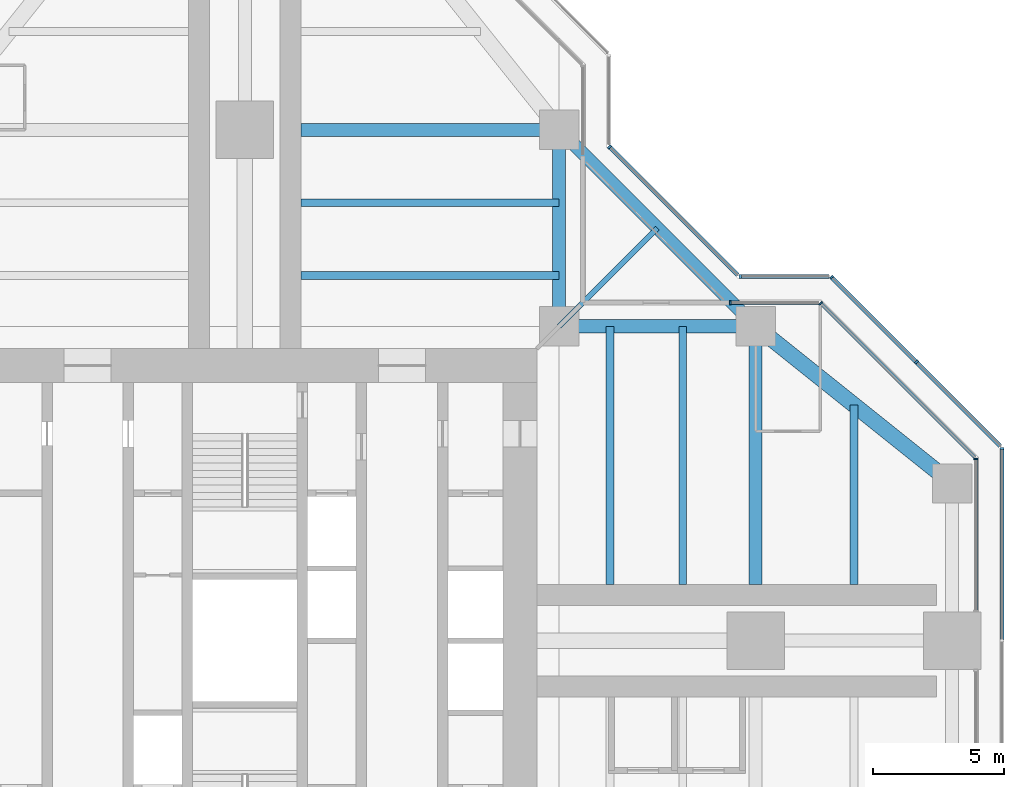
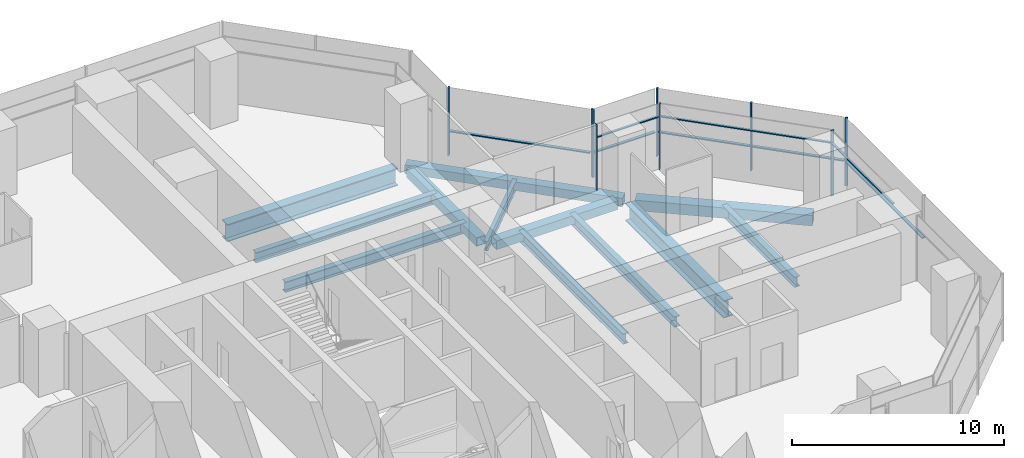
# One storey, part 8 of 17: 16 members, 12 beams, 7 elements without a shape of their own.
"""IFC4 building model written with IfcOpenShell, lengths in metres."""

from ifc_helpers import new_model, si_unit, direction, frame, origin, origin_2d, place, context, subcontext, project, spatial, rectangle, hollow_rectangle, i_section, extrude, material, material_profile, profile_set, type_object, element, aggregate, save


model = new_model("IFC4")

# Units and contexts
model_context = context("Model", 3, precision=1e-05, world=origin(), true_north=direction((0.0, 1.0)))
body_context = subcontext(model_context, "Body", "Model", "MODEL_VIEW")
ifc_project = project(units=[si_unit("LENGTHUNIT", "METRE"), si_unit("AREAUNIT", "SQUARE_METRE"), si_unit("VOLUMEUNIT", "CUBIC_METRE"), si_unit("PLANEANGLEUNIT", "RADIAN"), si_unit("MASSUNIT", "GRAM", prefix="KILO")], contexts=[model_context])

# Site, building, storey
site_placement = place(None, origin())
site = spatial("IfcSite", under=ifc_project, at=site_placement, CompositionType="ELEMENT")
building_placement = place(site_placement, origin())
building = spatial("IfcBuilding", under=site, at=building_placement, Name="Mizan Broadcast Tower", CompositionType="ELEMENT")
storey_placement = place(building_placement, frame((0.0, 0.0, 243.89990234375)))
storey = spatial("IfcBuildingStorey", under=building, at=storey_placement, Name="L57", CompositionType="ELEMENT", Elevation=243.89990234375)

# Beams
ifc_material_1 = material(Name="Steel S355", Category="steel")
ifc_material_profile_1 = material_profile(ifc_material_1, hollow_rectangle(XDim=0.5, YDim=0.5, WallThickness=0.030029296875, at=origin_2d()), Name="BOX 500x500x30")
ifc_profile_set_1 = profile_set([ifc_material_profile_1], Name="Steel S355")
beam_type_1 = type_object("IfcBeamType", Name="EDGE BEAM BOX 500x500x30", PredefinedType="SPANDREL", material=ifc_profile_set_1)
for number, where, z_axis, x_axis, name in (
    (1, (12.449951171875, 12.0, -0.3798828125), (1.0, 0.0, 0.0), (0.0, 1.0, 0.0), "Edge beam BOX 500x500x30 L57 east arm"),
    (2, (12.0, 12.449951171875, -0.3798828125), (0.0, 1.0, 0.0), (-1.0, 0.0, 0.0), "Edge beam BOX 500x500x30 L57 north arm"),
):
    element("IfcBeam", number, at=place(storey_placement, frame(where, z_axis=z_axis, x_axis=x_axis)), inside=storey, type_object=beam_type_1, Name=name, PredefinedType="SPANDREL", context=body_context, shape_type="SweptSolid", body=[
        extrude(hollow_rectangle(XDim=0.5, YDim=0.5, WallThickness=0.030029296875, at=origin_2d()), origin(), (0.0, 0.0, 1.0), 6.60009765625),
    ])
beam_1_placement = place(storey_placement, frame((19.5, 12.0, -0.3798828125), z_axis=(-0.707106781187, 0.707106781187, 0.0), x_axis=(-0.707106781187, -0.707106781187, 0.0)))
element("IfcBeam", 3, at=beam_1_placement, inside=storey, type_object=beam_type_1, Name="Winter garden edge beam L57 E", PredefinedType="SPANDREL", context=body_context, shape_type="SweptSolid", body=[
    extrude(hollow_rectangle(XDim=0.5, YDim=0.5, WallThickness=0.030029296875, at=origin_2d()), origin(), (0.0, 0.0, 1.0), 10.606689453125),
])
ifc_material_2 = material(Name="Steel S355", Category="steel")
ifc_material_profile_2 = material_profile(ifc_material_2, hollow_rectangle(XDim=0.60009765625, YDim=0.60009765625, WallThickness=0.030029296875, at=origin_2d()), Name="BOX 600x600x30")
ifc_profile_set_2 = profile_set([ifc_material_profile_2], Name="Steel S355")
beam_type_2 = type_object("IfcBeamType", Name="EDGE BEAM BOX 600x600x30", PredefinedType="SPANDREL", material=ifc_profile_set_2)
beam_2_placement = place(storey_placement, frame((19.949951171875, 11.639892578125, -0.429931640625), z_axis=(0.780885717636, -0.624673911726, 0.0), x_axis=(0.624673911726, 0.780885717636, 0.0)))
element("IfcBeam", 4, at=beam_2_placement, inside=storey, type_object=beam_type_2, Name="Edge beam BOX 600x600x30 L57 east arm", PredefinedType="SPANDREL", context=body_context, shape_type="SweptSolid", body=[
    extrude(hollow_rectangle(XDim=0.60009765625, YDim=0.60009765625, WallThickness=0.030029296875, at=origin_2d()), origin(), (0.0, 0.0, 1.0), 8.4521484375),
])
ifc_material_3 = material(Name="Steel S460", Category="steel")
ifc_material_profile_3 = material_profile(ifc_material_3, i_section(OverallWidth=0.5, OverallDepth=1.0, WebThickness=0.02490234375, FlangeThickness=0.050048828125, at=origin_2d()), Name="WPG 1000x500")
ifc_profile_set_3 = profile_set([ifc_material_profile_3], Name="Steel S460")
beam_type_3 = type_object("IfcBeamType", Name="GIRDER WPG 1000x500", PredefinedType="BEAM", material=ifc_profile_set_3)
for number, where, z_axis, x_axis, name in (
    (5, (19.5, 11.408935546875, -0.6298828125), (0.0, -1.0, 0.0), (1.0, 0.0, 0.0), "Girder WPG 1000x500 L57 east arm"),
    (6, (11.408935546875, 19.5, -0.6298828125), (-1.0, 0.0, 0.0), (0.0, -1.0, 0.0), "Girder WPG 1000x500 L57 north arm"),
):
    element("IfcBeam", number, at=place(storey_placement, frame(where, z_axis=z_axis, x_axis=x_axis)), inside=storey, type_object=beam_type_3, Name=name, PredefinedType="BEAM", context=body_context, shape_type="SweptSolid", body=[
        extrude(i_section(OverallWidth=0.5, OverallDepth=1.0, WebThickness=0.02490234375, FlangeThickness=0.050048828125, at=origin_2d()), origin(), (0.0, 0.0, 1.0), 9.259033203125),
    ])

# Curtain wall, member
ifc_material_4 = material(Name="Aluminium framed glazing", Category="aluminium")
curtain_wall_type_1 = type_object("IfcCurtainWallType", Name="INNER SKIN HIGH ZONE", PredefinedType="USERDEFINED", material=ifc_material_4)
curtain_wall_1_placement = place(storey_placement, origin())
curtain_wall_1 = element("IfcCurtainWall", 7, at=curtain_wall_1_placement, inside=storey, type_object=curtain_wall_type_1, Name="Inner skin high zone L57 E end", ObjectType="INNER SKIN HIGH ZONE", PredefinedType="USERDEFINED")
ifc_material_5 = material(Name="Aluminium, pale anodised", Category="aluminium")
ifc_material_profile_4 = material_profile(ifc_material_5, rectangle(XDim=0.159912109375, YDim=0.06005859375, at=origin_2d()), Name="MULLION 160x60")
ifc_profile_set_4 = profile_set([ifc_material_profile_4], Name="Aluminium, pale anodised")
member_type_1 = type_object("IfcMemberType", Name="INNER SKIN MULLION 60x160", PredefinedType="MULLION", material=ifc_profile_set_4)
member_1_placement = place(storey_placement, frame((27.89990234375, 6.928466796875, 0.0), z_axis=(0.0, 0.0, 1.0), x_axis=(-1.0, 0.0, 0.0)))
member_1 = element("IfcMember", 8, at=member_1_placement, type_object=member_type_1, Name="Inner skin high zone L57 E end mullion 2", PredefinedType="MULLION", context=body_context, shape_type="SweptSolid", body=[
    extrude(rectangle(XDim=0.159912109375, YDim=0.06005859375, at=origin_2d()), origin(), (0.0, 0.0, 1.0), 3.77001953125),
])

curtain_wall_2_placement = place(storey_placement, origin())
curtain_wall_2 = element("IfcCurtainWall", 9, at=curtain_wall_2_placement, inside=storey, type_object=curtain_wall_type_1, Name="Inner skin high zone L57 E chamfer", ObjectType="INNER SKIN HIGH ZONE", PredefinedType="USERDEFINED")
member_2_placement = place(storey_placement, frame((21.979736328125, 12.87890625, 0.0), z_axis=(0.0, 0.0, 1.0), x_axis=(-0.707106781187, -0.707106781187, 0.0)))
member_2 = element("IfcMember", 10, at=member_2_placement, type_object=member_type_1, Name="Inner skin high zone L57 E chamfer mullion 2", PredefinedType="MULLION", context=body_context, shape_type="SweptSolid", body=[
    extrude(rectangle(XDim=0.159912109375, YDim=0.06005859375, at=origin_2d()), origin(), (0.0, 0.0, 1.0), 3.77001953125),
])

curtain_wall_3_placement = place(storey_placement, origin())
curtain_wall_3 = element("IfcCurtainWall", 11, at=curtain_wall_3_placement, inside=storey, type_object=curtain_wall_type_1, Name="Inner skin high zone L57 E side", ObjectType="INNER SKIN HIGH ZONE", PredefinedType="USERDEFINED")
member_3_placement = place(storey_placement, frame((18.530029296875, 12.89990234375, 0.0), z_axis=(0.0, 0.0, 1.0), x_axis=(0.0, -1.0, 0.0)))
member_3 = element("IfcMember", 12, at=member_3_placement, type_object=member_type_1, Name="Inner skin high zone L57 E side mullion 2", PredefinedType="MULLION", context=body_context, shape_type="SweptSolid", body=[
    extrude(rectangle(XDim=0.159912109375, YDim=0.06005859375, at=origin_2d()), origin(), (0.0, 0.0, 1.0), 3.77001953125),
])

# Member
ifc_material_6 = material(Name="Aluminium, pale anodised", Category="aluminium")
ifc_material_profile_5 = material_profile(ifc_material_6, rectangle(XDim=0.1201171875, YDim=0.06005859375, at=origin_2d()), Name="TRANSOM 120x60")
ifc_profile_set_5 = profile_set([ifc_material_profile_5], Name="Aluminium, pale anodised")
member_type_2 = type_object("IfcMemberType", Name="INNER SKIN TRANSOM 60x120", PredefinedType="USERDEFINED", material=ifc_profile_set_5)
member_4_placement = place(storey_placement, frame((27.89990234375, 1.159912109375, 3.030029296875), z_axis=(0.0, 1.0, 0.0), x_axis=(-1.0, 0.0, 0.0)))
member_4 = element("IfcMember", 13, at=member_4_placement, type_object=member_type_2, Name="Inner skin high zone L57 E end transom 1.1", ObjectType="TRANSOM", PredefinedType="USERDEFINED", context=body_context, shape_type="SweptSolid", body=[
    extrude(rectangle(XDim=0.1201171875, YDim=0.06005859375, at=origin_2d()), origin(), (0.0, 0.0, 1.0), 5.73876953125),
])

aggregate(curtain_wall_1, [member_1, member_4])

member_5_placement = place(storey_placement, frame((27.857666015625, 7.0009765625, 3.030029296875), z_axis=(-0.707106781187, 0.707106781187, 0.0), x_axis=(-0.707106781187, -0.707106781187, 0.0)))
member_5 = element("IfcMember", 14, at=member_5_placement, type_object=member_type_2, Name="Inner skin high zone L57 E chamfer transom 1.1", ObjectType="TRANSOM", PredefinedType="USERDEFINED", context=body_context, shape_type="SweptSolid", body=[
    extrude(rectangle(XDim=0.1201171875, YDim=0.06005859375, at=origin_2d()), origin(), (0.0, 0.0, 1.0), 8.28271484375),
])

aggregate(curtain_wall_2, [member_2, member_5])

member_6_placement = place(storey_placement, frame((21.898681640625, 12.89990234375, 3.030029296875), z_axis=(-1.0, 0.0, 0.0), x_axis=(0.0, -1.0, 0.0)))
member_6 = element("IfcMember", 15, at=member_6_placement, type_object=member_type_2, Name="Inner skin high zone L57 E side transom 1.1", ObjectType="TRANSOM", PredefinedType="USERDEFINED", context=body_context, shape_type="SweptSolid", body=[
    extrude(rectangle(XDim=0.1201171875, YDim=0.06005859375, at=origin_2d()), origin(), (0.0, 0.0, 1.0), 3.338623046875),
])

aggregate(curtain_wall_3, [member_3, member_6])

# Curtain wall, member
ifc_material_7 = material(Name="Aluminium framed glazing", Category="aluminium")
curtain_wall_type_2 = type_object("IfcCurtainWallType", Name="OUTER SKIN", PredefinedType="USERDEFINED", material=ifc_material_7)
curtain_wall_4_placement = place(storey_placement, origin())
curtain_wall_4 = element("IfcCurtainWall", 16, at=curtain_wall_4_placement, inside=storey, type_object=curtain_wall_type_2, Name="Outer skin L57 E end", ObjectType="OUTER SKIN", PredefinedType="USERDEFINED")
ifc_material_8 = material(Name="Aluminium, pale anodised", Category="aluminium")
ifc_material_profile_6 = material_profile(ifc_material_8, rectangle(XDim=0.159912109375, YDim=0.080078125, at=origin_2d()), Name="MULLION 160x80")
ifc_profile_set_6 = profile_set([ifc_material_profile_6], Name="Aluminium, pale anodised")
member_type_3 = type_object("IfcMemberType", Name="OUTER SKIN MULLION 80x160", PredefinedType="MULLION", material=ifc_profile_set_6)
member_7_placement = place(storey_placement, frame((28.89990234375, 7.332763671875, 0.0), z_axis=(0.0, 0.0, 1.0), x_axis=(-1.0, 0.0, 0.0)))
member_7 = element("IfcMember", 17, at=member_7_placement, type_object=member_type_3, Name="Outer skin L57 E end mullion 3", PredefinedType="MULLION", context=body_context, shape_type="SweptSolid", body=[
    extrude(rectangle(XDim=0.159912109375, YDim=0.080078125, at=origin_2d()), origin(), (0.0, 0.0, 1.0), 3.900146484375),
])

# Curtain wall, members
curtain_wall_5_placement = place(storey_placement, origin())
curtain_wall_5 = element("IfcCurtainWall", 18, at=curtain_wall_5_placement, inside=storey, type_object=curtain_wall_type_2, Name="Outer skin L57 E chamfer", ObjectType="OUTER SKIN", PredefinedType="USERDEFINED")
member_8_placement = place(storey_placement, frame((25.636474609375, 10.636474609375, 0.0), z_axis=(0.0, 0.0, 1.0), x_axis=(-0.707106781187, -0.707106781187, 0.0)))
member_8 = element("IfcMember", 19, at=member_8_placement, type_object=member_type_3, Name="Outer skin L57 E chamfer mullion 2", PredefinedType="MULLION", context=body_context, shape_type="SweptSolid", body=[
    extrude(rectangle(XDim=0.159912109375, YDim=0.080078125, at=origin_2d()), origin(), (0.0, 0.0, 1.0), 3.900146484375),
])
member_9_placement = place(storey_placement, frame((22.401123046875, 13.871826171875, 0.0), z_axis=(0.0, 0.0, 1.0), x_axis=(-0.707106781187, -0.707106781187, 0.0)))
member_9 = element("IfcMember", 20, at=member_9_placement, type_object=member_type_3, Name="Outer skin L57 E chamfer mullion 3", PredefinedType="MULLION", context=body_context, shape_type="SweptSolid", body=[
    extrude(rectangle(XDim=0.159912109375, YDim=0.080078125, at=origin_2d()), origin(), (0.0, 0.0, 1.0), 3.900146484375),
])

# Curtain wall, member
curtain_wall_6_placement = place(storey_placement, origin())
curtain_wall_6 = element("IfcCurtainWall", 21, at=curtain_wall_6_placement, inside=storey, type_object=curtain_wall_type_2, Name="Outer skin L57 E side", ObjectType="OUTER SKIN", PredefinedType="USERDEFINED")
member_10_placement = place(storey_placement, frame((18.912841796875, 13.89990234375, 0.0), z_axis=(0.0, 0.0, 1.0), x_axis=(0.0, -1.0, 0.0)))
member_10 = element("IfcMember", 22, at=member_10_placement, type_object=member_type_3, Name="Outer skin L57 E side mullion 2", PredefinedType="MULLION", context=body_context, shape_type="SweptSolid", body=[
    extrude(rectangle(XDim=0.159912109375, YDim=0.080078125, at=origin_2d()), origin(), (0.0, 0.0, 1.0), 3.900146484375),
])

curtain_wall_7_placement = place(storey_placement, origin())
curtain_wall_7 = element("IfcCurtainWall", 23, at=curtain_wall_7_placement, inside=storey, type_object=curtain_wall_type_2, Name="Outer skin L57 E chamfer", ObjectType="OUTER SKIN", PredefinedType="USERDEFINED")
member_11_placement = place(storey_placement, frame((13.92822265625, 18.844482421875, 0.0), z_axis=(0.0, 0.0, 1.0), x_axis=(-0.707106781187, -0.707106781187, 0.0)))
member_11 = element("IfcMember", 24, at=member_11_placement, type_object=member_type_3, Name="Outer skin L57 E chamfer mullion 2", PredefinedType="MULLION", context=body_context, shape_type="SweptSolid", body=[
    extrude(rectangle(XDim=0.159912109375, YDim=0.080078125, at=origin_2d()), origin(), (0.0, 0.0, 1.0), 3.900146484375),
])

# Member
ifc_material_9 = material(Name="Aluminium, pale anodised", Category="aluminium")
ifc_material_profile_7 = material_profile(ifc_material_9, rectangle(XDim=0.159912109375, YDim=0.06005859375, at=origin_2d()), Name="TRANSOM 160x60")
ifc_profile_set_7 = profile_set([ifc_material_profile_7], Name="Aluminium, pale anodised")
member_type_4 = type_object("IfcMemberType", Name="OUTER SKIN TRANSOM 60x160", PredefinedType="USERDEFINED", material=ifc_profile_set_7)
member_12_placement = place(storey_placement, frame((28.89990234375, 0.0400390625, 1.400146484375), z_axis=(0.0, 1.0, 0.0), x_axis=(-1.0, 0.0, 0.0)))
member_12 = element("IfcMember", 25, at=member_12_placement, type_object=member_type_4, Name="Outer skin L57 E end transom 2.1", ObjectType="TRANSOM", PredefinedType="USERDEFINED", context=body_context, shape_type="SweptSolid", body=[
    extrude(rectangle(XDim=0.159912109375, YDim=0.06005859375, at=origin_2d()), origin(), (0.0, 0.0, 1.0), 7.252685546875),
])

aggregate(curtain_wall_4, [member_7, member_12])

member_13_placement = place(storey_placement, frame((28.843505859375, 7.429443359375, 1.400146484375), z_axis=(-0.707106781187, 0.707106781187, 0.0), x_axis=(-0.707106781187, -0.707106781187, 0.0)))
member_13 = element("IfcMember", 26, at=member_13_placement, type_object=member_type_4, Name="Outer skin L57 E chamfer transom 1.1", ObjectType="TRANSOM", PredefinedType="USERDEFINED", context=body_context, shape_type="SweptSolid", body=[
    extrude(rectangle(XDim=0.159912109375, YDim=0.06005859375, at=origin_2d()), origin(), (0.0, 0.0, 1.0), 4.495361328125),
])

member_14_placement = place(storey_placement, frame((25.608154296875, 10.664794921875, 1.400146484375), z_axis=(-0.707106781187, 0.707106781187, 0.0), x_axis=(-0.707106781187, -0.707106781187, 0.0)))
member_14 = element("IfcMember", 27, at=member_14_placement, type_object=member_type_4, Name="Outer skin L57 E chamfer transom 2.1", ObjectType="TRANSOM", PredefinedType="USERDEFINED", context=body_context, shape_type="SweptSolid", body=[
    extrude(rectangle(XDim=0.159912109375, YDim=0.06005859375, at=origin_2d()), origin(), (0.0, 0.0, 1.0), 4.495361328125),
])

aggregate(curtain_wall_5, [member_8, member_9, member_13, member_14])

member_15_placement = place(storey_placement, frame((22.292724609375, 13.89990234375, 1.400146484375), z_axis=(-1.0, 0.0, 0.0), x_axis=(0.0, -1.0, 0.0)))
member_15 = element("IfcMember", 28, at=member_15_placement, type_object=member_type_4, Name="Outer skin L57 E side transom 1.1", ObjectType="TRANSOM", PredefinedType="USERDEFINED", context=body_context, shape_type="SweptSolid", body=[
    extrude(rectangle(XDim=0.159912109375, YDim=0.06005859375, at=origin_2d()), origin(), (0.0, 0.0, 1.0), 3.33984375),
])

aggregate(curtain_wall_6, [member_10, member_15])

member_16_placement = place(storey_placement, frame((18.816162109375, 13.95654296875, 1.400146484375), z_axis=(-0.707106781187, 0.707106781187, 0.0), x_axis=(-0.707106781187, -0.707106781187, 0.0)))
member_16 = element("IfcMember", 29, at=member_16_placement, type_object=member_type_4, Name="Outer skin L57 E chamfer transom 1.1", ObjectType="TRANSOM", PredefinedType="USERDEFINED", context=body_context, shape_type="SweptSolid", body=[
    extrude(rectangle(XDim=0.159912109375, YDim=0.06005859375, at=origin_2d()), origin(), (0.0, 0.0, 1.0), 6.87255859375),
])

aggregate(curtain_wall_7, [member_11, member_16])

# Beams
ifc_material_10 = material(Name="Steel S355", Category="steel")
ifc_material_profile_8 = material_profile(ifc_material_10, i_section(OverallWidth=0.300048828125, OverallDepth=0.590087890625, WebThickness=0.012939453125, FlangeThickness=0.02490234375, FilletRadius=0.027099609375, at=origin_2d()), Name="HEA 600")
ifc_profile_set_8 = profile_set([ifc_material_profile_8], Name="Steel S355")
beam_type_4 = type_object("IfcBeamType", Name="SECONDARY BEAM HEA 600", PredefinedType="JOIST", material=ifc_profile_set_8)
for number, where, z_axis, x_axis, name in (
    (30, (13.933349609375, 12.0, -0.4248046875), (0.0, -1.0, 0.0), (1.0, 0.0, 0.0), "Secondary beam HEA 600 L57 east arm"),
    (31, (16.716552734375, 12.0, -0.4248046875), (0.0, -1.0, 0.0), (1.0, 0.0, 0.0), "Secondary beam HEA 600 L57 east arm"),
):
    element("IfcBeam", number, at=place(storey_placement, frame(where, z_axis=z_axis, x_axis=x_axis)), inside=storey, type_object=beam_type_4, Name=name, PredefinedType="JOIST", context=body_context, shape_type="SweptSolid", body=[
        extrude(i_section(OverallWidth=0.300048828125, OverallDepth=0.590087890625, WebThickness=0.012939453125, FlangeThickness=0.02490234375, FilletRadius=0.027099609375, at=origin_2d()), origin(), (0.0, 0.0, 1.0), 9.85009765625),
    ])
beam_3_placement = place(storey_placement, frame((23.25, 9.0, -0.4248046875), z_axis=(0.0, -1.0, 0.0), x_axis=(1.0, 0.0, 0.0)))
element("IfcBeam", 32, at=beam_3_placement, inside=storey, type_object=beam_type_4, Name="Secondary beam HEA 600 L57 east arm", PredefinedType="JOIST", context=body_context, shape_type="SweptSolid", body=[
    extrude(i_section(OverallWidth=0.300048828125, OverallDepth=0.590087890625, WebThickness=0.012939453125, FlangeThickness=0.02490234375, FilletRadius=0.027099609375, at=origin_2d()), origin(), (0.0, 0.0, 1.0), 6.85009765625),
])
for number, where, z_axis, x_axis, name in (
    (33, (12.0, 13.933349609375, -0.4248046875), (-1.0, 0.0, 0.0), (0.0, -1.0, 0.0), "Secondary beam HEA 600 L57 north arm"),
    (34, (12.0, 16.716552734375, -0.4248046875), (-1.0, 0.0, 0.0), (0.0, -1.0, 0.0), "Secondary beam HEA 600 L57 north arm"),
):
    element("IfcBeam", number, at=place(storey_placement, frame(where, z_axis=z_axis, x_axis=x_axis)), inside=storey, type_object=beam_type_4, Name=name, PredefinedType="JOIST", context=body_context, shape_type="SweptSolid", body=[
        extrude(i_section(OverallWidth=0.300048828125, OverallDepth=0.590087890625, WebThickness=0.012939453125, FlangeThickness=0.02490234375, FilletRadius=0.027099609375, at=origin_2d()), origin(), (0.0, 0.0, 1.0), 9.85009765625),
    ])
ifc_material_11 = material(Name="Steel S355", Category="steel")
ifc_material_profile_9 = material_profile(ifc_material_11, i_section(OverallWidth=0.2099609375, OverallDepth=0.550048828125, WebThickness=0.010986328125, FlangeThickness=0.01708984375, FilletRadius=0.02392578125, at=origin_2d()), Name="IPE 550")
ifc_profile_set_9 = profile_set([ifc_material_profile_9], Name="Steel S355")
beam_type_5 = type_object("IfcBeamType", Name="SECONDARY BEAM IPE 550", PredefinedType="JOIST", material=ifc_profile_set_9)
beam_4_placement = place(storey_placement, frame((12.0, 12.0, -0.40478515625), z_axis=(0.707106781187, 0.707106781187, 0.0), x_axis=(-0.707106781187, 0.707106781187, 0.0)))
element("IfcBeam", 35, at=beam_4_placement, inside=storey, type_object=beam_type_5, Name="Winter garden beam L57 E", PredefinedType="JOIST", context=body_context, shape_type="SweptSolid", body=[
    extrude(i_section(OverallWidth=0.2099609375, OverallDepth=0.550048828125, WebThickness=0.010986328125, FlangeThickness=0.01708984375, FilletRadius=0.02392578125, at=origin_2d()), origin(), (0.0, 0.0, 1.0), 5.30322265625),
])

save(model, "model.ifc")
